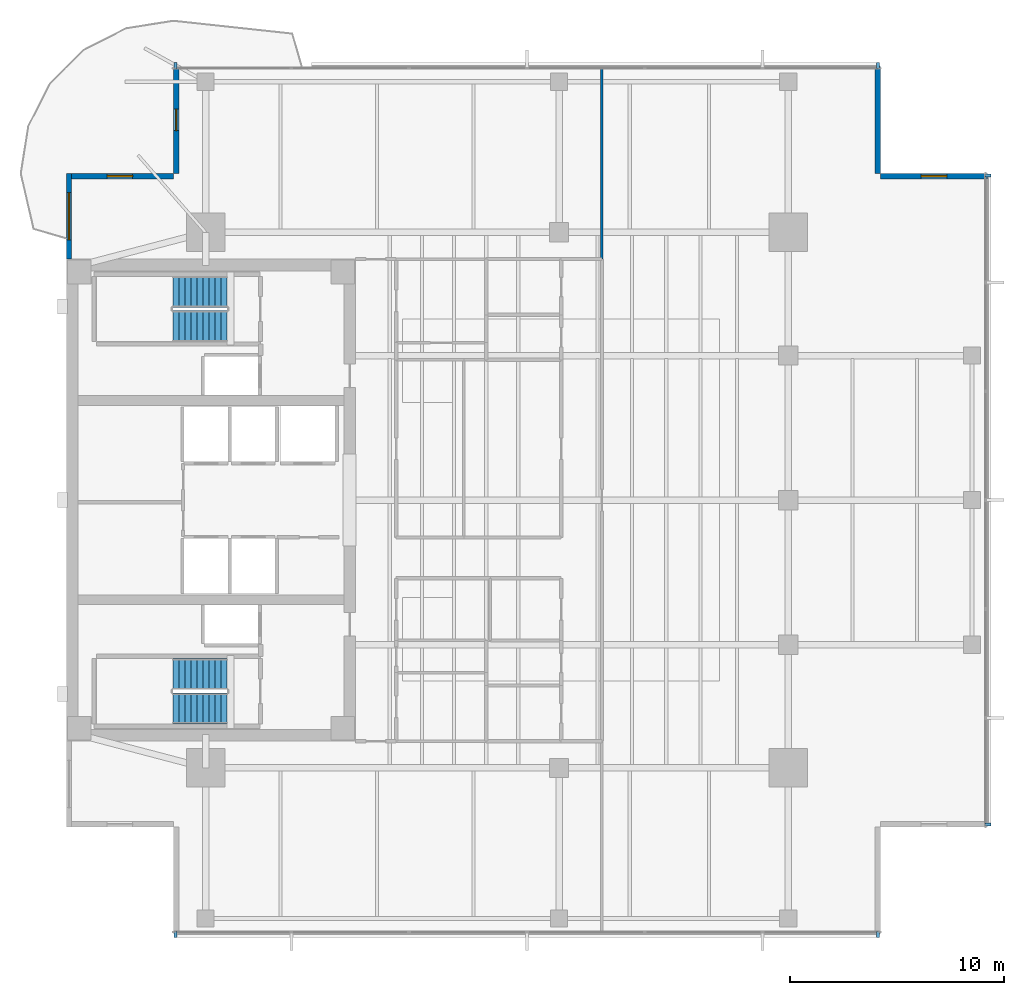
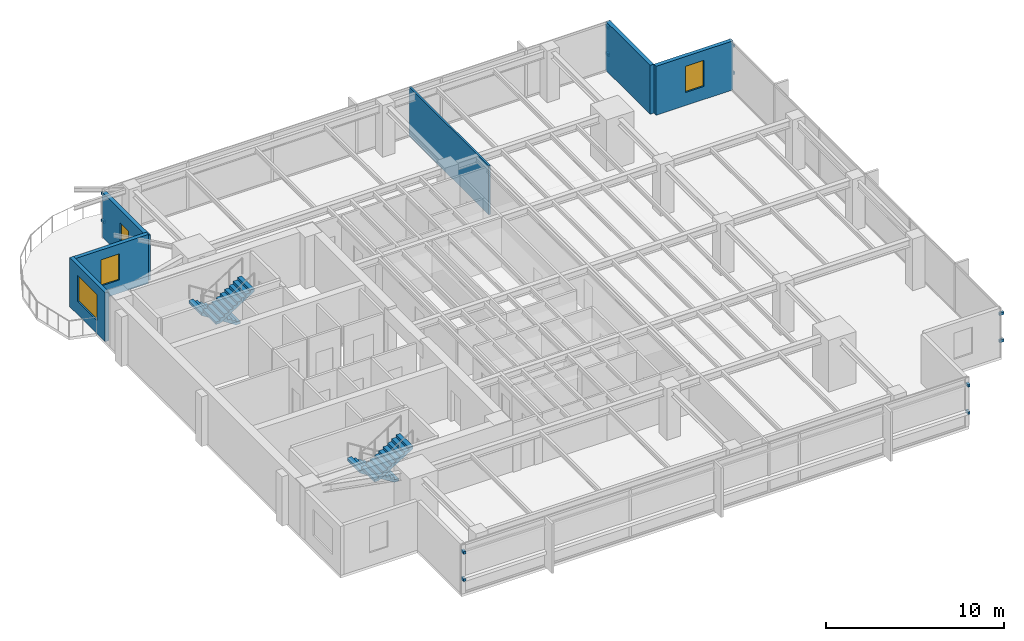
# One storey, part 10 of 14: 12 discrete accessories, 6 walls, 4 stair flights, 3 windows, 1 door, 4 openings, 2 elements without a shape of their own.
"""IFC4 building model written with IfcOpenShell, lengths in metres."""

from ifc_helpers import new_model, si_unit, direction, frame, frame_2d, origin, origin_2d, place, context, subcontext, project, spatial, polyline, rectangle, outline, extrude, material, layer, layer_set, type_object, element, fill, aggregate, save


model = new_model("IFC4")

# Units and contexts
model_context = context("Model", 3, precision=1e-05, world=origin(), true_north=direction((0.0, 1.0)))
body_context = subcontext(model_context, "Body", "Model", "MODEL_VIEW")
ifc_project = project(units=[si_unit("LENGTHUNIT", "METRE"), si_unit("AREAUNIT", "SQUARE_METRE"), si_unit("VOLUMEUNIT", "CUBIC_METRE"), si_unit("PLANEANGLEUNIT", "RADIAN"), si_unit("MASSUNIT", "GRAM", prefix="KILO")], contexts=[model_context])

# Site, building, storey
site_placement = place(None, origin())
site = spatial("IfcSite", under=ifc_project, at=site_placement, CompositionType="ELEMENT")
building_placement = place(site_placement, origin())
building = spatial("IfcBuilding", under=site, at=building_placement, Name="Kinhvarn Gate Tower", CompositionType="ELEMENT")
storey_placement = place(building_placement, frame((0.0, 0.0, 195.14990234375)))
storey = spatial("IfcBuildingStorey", under=building, at=storey_placement, Name="L51", CompositionType="ELEMENT", Elevation=195.14990234375)

# Wall, opening, window
ifc_material_1 = material(Name="Fired architectural terracotta", Category="masonry")
ifc_layer_1 = layer(ifc_material_1, 0.25)
ifc_layer_set_1 = layer_set([ifc_layer_1], Name="Fired architectural terracotta")
wall_type_1 = type_object("IfcWallType", Name="WL-EXT-250", PredefinedType="SOLIDWALL", material=ifc_layer_set_1)
wall_1_placement = place(storey_placement, frame((4.625, 40.5, 0.0), z_axis=(0.0, 0.0, 1.0), x_axis=(0.0, -1.0, 0.0)))
wall_1 = element("IfcWall", 1, at=wall_1_placement, inside=storey, type_object=wall_type_1, Name="Exterior Solidwall Wall EW-250 (L51 West-North)", PredefinedType="SOLIDWALL", context=body_context, shape_type="SweptSolid", body=[
    extrude(rectangle(XDim=4.0, YDim=0.25, at=frame_2d((2.0, 0.0))), origin(), (0.0, 0.0, 1.0), 3.3701171875),
])
opening_1_placement = place(wall_1_placement, frame((0.89990234375, 0.0, 0.89990234375)))
opening_1 = element("IfcOpeningElement", 2, at=opening_1_placement, cuts=wall_1, Name="Opening WN-01", PredefinedType="OPENING", context=body_context, shape_type="SweptSolid", body=[
    extrude(rectangle(XDim=2.199951171875, YDim=1.800048828125, at=frame_2d((1.10009765625, 0.89990234375))), frame((0.0, 0.135009765625, 0.0), z_axis=(0.0, -1.0, 0.0), x_axis=(1.0, 0.0, 0.0)), (0.0, 0.0, 1.0), 0.27001953125),
])
ifc_material_2 = material(Name="Clear low-e double glazing", Category="glass")
window_type_1 = type_object("IfcWindowType", Name="WIN-RIB-2200", PartitioningType="SINGLE_PANEL", PredefinedType="WINDOW", material=ifc_material_2)
window_1_placement = place(opening_1_placement, origin())
window_1 = element("IfcWindow", 3, at=window_1_placement, inside=storey, type_object=window_type_1, Name="West Flank Double-Glazed Ribbon Window 2200x1800 mm (L51)", OverallHeight=1.800048828125, OverallWidth=2.199951171875, PartitioningType="SINGLE_PANEL", PredefinedType="WINDOW", context=body_context, shape_type="SweptSolid", body=[
    extrude(rectangle(XDim=2.199951171875, YDim=1.800048828125, at=frame_2d((1.10009765625, 0.89990234375))), frame((0.0, 0.030029296875, 0.0), z_axis=(0.0, -1.0, 0.0), x_axis=(1.0, 0.0, 0.0)), (0.0, 0.0, 1.0), 0.06005859375),
])
fill(opening_1, window_1)

wall_2_placement = place(storey_placement, frame((47.5, 40.375, 0.0), z_axis=(0.0, 0.0, 1.0), x_axis=(-1.0, 0.0, 0.0)))
wall_2 = element("IfcWall", 4, at=wall_2_placement, inside=storey, type_object=wall_type_1, Name="Exterior Solidwall Wall EW-250 (L51 NE-Notch-1)", PredefinedType="SOLIDWALL", context=body_context, shape_type="SweptSolid", body=[
    extrude(rectangle(XDim=5.0, YDim=0.25, at=frame_2d((2.5, 0.0))), origin(), (0.0, 0.0, 1.0), 3.3701171875),
])
opening_2_placement = place(wall_2_placement, frame((1.89990234375, 0.0, 0.89990234375)))
opening_2 = element("IfcOpeningElement", 5, at=opening_2_placement, cuts=wall_2, Name="Opening WN-02", PredefinedType="OPENING", context=body_context, shape_type="SweptSolid", body=[
    extrude(rectangle(XDim=1.199951171875, YDim=1.800048828125, at=frame_2d((0.60009765625, 0.89990234375))), frame((0.0, 0.135009765625, 0.0), z_axis=(0.0, -1.0, 0.0), x_axis=(1.0, 0.0, 0.0)), (0.0, 0.0, 1.0), 0.27001953125),
])
window_type_2 = type_object("IfcWindowType", Name="WIN-NTC-1200", PartitioningType="SINGLE_PANEL", PredefinedType="WINDOW", material=ifc_material_2)
window_2_placement = place(opening_2_placement, origin())
window_2 = element("IfcWindow", 6, at=window_2_placement, inside=storey, type_object=window_type_2, Name="Recessed Corner Notch Punched Window 1200x1800 mm (L51)", OverallHeight=1.800048828125, OverallWidth=1.199951171875, PartitioningType="SINGLE_PANEL", PredefinedType="WINDOW", context=body_context, shape_type="SweptSolid", body=[
    extrude(rectangle(XDim=1.199951171875, YDim=1.800048828125, at=frame_2d((0.60009765625, 0.89990234375))), frame((0.0, 0.030029296875, 0.0), z_axis=(0.0, -1.0, 0.0), x_axis=(1.0, 0.0, 0.0)), (0.0, 0.0, 1.0), 0.06005859375),
])
fill(opening_2, window_2)

# Wall
wall_3_placement = place(storey_placement, frame((42.375, 40.5, 0.0), z_axis=(0.0, 0.0, 1.0), x_axis=(0.0, 1.0, 0.0)))
element("IfcWall", 7, at=wall_3_placement, inside=storey, type_object=wall_type_1, Name="Exterior Solidwall Wall EW-250 (L51 NE-Notch-2)", PredefinedType="SOLIDWALL", context=body_context, shape_type="SweptSolid", body=[
    extrude(rectangle(XDim=5.0, YDim=0.25, at=frame_2d((2.5, 0.0))), origin(), (0.0, 0.0, 1.0), 3.3701171875),
])

# Wall, opening, door
wall_4_placement = place(storey_placement, frame((9.625, 45.5, 0.0), z_axis=(0.0, 0.0, 1.0), x_axis=(0.0, -1.0, 0.0)))
wall_4 = element("IfcWall", 8, at=wall_4_placement, inside=storey, type_object=wall_type_1, Name="Exterior Solidwall Wall EW-250 (L51 NW-Notch-Door)", PredefinedType="SOLIDWALL", context=body_context, shape_type="SweptSolid", body=[
    extrude(rectangle(XDim=5.0, YDim=0.25, at=frame_2d((2.5, 0.0))), origin(), (0.0, 0.0, 1.0), 3.10009765625),
])
opening_3_placement = place(wall_4_placement, frame((2.0, 0.0, 0.0)))
opening_3 = element("IfcOpeningElement", 9, at=opening_3_placement, cuts=wall_4, Name="Opening BD-01", PredefinedType="OPENING", context=body_context, shape_type="SweptSolid", body=[
    extrude(rectangle(XDim=1.0, YDim=2.199951171875, at=frame_2d((0.5, 1.10009765625))), frame((0.0, 0.135009765625, 0.0), z_axis=(0.0, -1.0, 0.0), x_axis=(1.0, 0.0, 0.0)), (0.0, 0.0, 1.0), 0.27001953125),
])
door_type = type_object("IfcDoorType", Name="DR-BAL-1000", OperationType="NOTDEFINED", PredefinedType="DOOR", material=ifc_material_2)
door_placement = place(opening_3_placement, frame((1.0, 0.0, 0.0), z_axis=(0.0, 0.0, 1.0), x_axis=(-1.0, 0.0, 0.0)))
door = element("IfcDoor", 10, at=door_placement, inside=storey, type_object=door_type, Name="S-Carve Balcony Door BD-01 (L51)", OperationType="SINGLE_SWING_RIGHT", OverallHeight=2.199951171875, OverallWidth=1.0, PredefinedType="DOOR", context=body_context, shape_type="SweptSolid", body=[
    extrude(rectangle(XDim=1.0, YDim=2.199951171875, at=frame_2d((0.5, 1.10009765625))), frame((0.0, 0.02490234375, 0.0), z_axis=(0.0, -1.0, 0.0), x_axis=(1.0, 0.0, 0.0)), (0.0, 0.0, 1.0), 0.050048828125),
])
fill(opening_3, door)

# Wall, opening, window
wall_5_placement = place(storey_placement, frame((9.5, 40.375, 0.0), z_axis=(0.0, 0.0, 1.0), x_axis=(-1.0, 0.0, 0.0)))
wall_5 = element("IfcWall", 11, at=wall_5_placement, inside=storey, type_object=wall_type_1, Name="Exterior Solidwall Wall EW-250 (L51 NW-Notch-Win)", PredefinedType="SOLIDWALL", context=body_context, shape_type="SweptSolid", body=[
    extrude(rectangle(XDim=5.0, YDim=0.25, at=frame_2d((2.5, 0.0))), origin(), (0.0, 0.0, 1.0), 3.3701171875),
])
opening_4_placement = place(wall_5_placement, frame((1.89990234375, 0.0, 0.89990234375)))
opening_4 = element("IfcOpeningElement", 12, at=opening_4_placement, cuts=wall_5, Name="Opening WN-02", PredefinedType="OPENING", context=body_context, shape_type="SweptSolid", body=[
    extrude(rectangle(XDim=1.199951171875, YDim=1.800048828125, at=frame_2d((0.60009765625, 0.89990234375))), frame((0.0, 0.135009765625, 0.0), z_axis=(0.0, -1.0, 0.0), x_axis=(1.0, 0.0, 0.0)), (0.0, 0.0, 1.0), 0.27001953125),
])
window_3_placement = place(opening_4_placement, origin())
window_3 = element("IfcWindow", 13, at=window_3_placement, inside=storey, type_object=window_type_2, Name="Recessed Corner Notch Punched Window 1200x1800 mm (L51)", OverallHeight=1.800048828125, OverallWidth=1.199951171875, PartitioningType="SINGLE_PANEL", PredefinedType="WINDOW", context=body_context, shape_type="SweptSolid", body=[
    extrude(rectangle(XDim=1.199951171875, YDim=1.800048828125, at=frame_2d((0.60009765625, 0.89990234375))), frame((0.0, 0.030029296875, 0.0), z_axis=(0.0, -1.0, 0.0), x_axis=(1.0, 0.0, 0.0)), (0.0, 0.0, 1.0), 0.06005859375),
])
fill(opening_4, window_3)

# Wall
ifc_material_3 = material(Name="Gypsum acoustic partition board")
ifc_layer_2 = layer(ifc_material_3, 0.1201171875)
ifc_layer_set_2 = layer_set([ifc_layer_2], Name="Gypsum acoustic partition board")
wall_type_2 = type_object("IfcWallType", Name="WL-PRT-120", PredefinedType="PARTITIONING", material=ifc_layer_set_2)
wall_6_placement = place(storey_placement, frame((29.5, 36.5, 0.0), z_axis=(0.0, 0.0, 1.0), x_axis=(0.0, 1.0, 0.0)))
element("IfcWall", 14, at=wall_6_placement, inside=storey, type_object=wall_type_2, Name="Interior Partition PW-120 (L51)", PredefinedType="PARTITIONING", context=body_context, shape_type="SweptSolid", body=[
    extrude(rectangle(XDim=8.989990234375, YDim=0.1201171875, at=frame_2d((4.4951171875, 0.0))), origin(), (0.0, 0.0, 1.0), 3.3701171875),
])

# Stair, stair flights
ifc_material_4 = material(Name="Concrete C40/50", Category="concrete")
stair_type = type_object("IfcStairType", Name="STR-DLG-177", PredefinedType="HALF_TURN_STAIR", material=ifc_material_4)
stair_1_placement = place(storey_placement, origin())
stair_1 = element("IfcStair", 15, at=stair_1_placement, inside=storey, type_object=stair_type, Name="L51 Core Smokeproof Exit Stair ST1", PredefinedType="HALF_TURN_STAIR")
stair_flight_type = type_object("IfcStairFlightType", Name="STF-DLG-177", PredefinedType="STRAIGHT", material=ifc_material_4)
stair_flight_1_placement = place(storey_placement, frame((12.0, 17.125, 0.0), z_axis=(0.0, 0.0, 1.0), x_axis=(-1.0, 0.0, 0.0)))
stair_flight_1 = element("IfcStairFlight", 16, at=stair_flight_1_placement, type_object=stair_flight_type, Name="ST1 flight 1", NumberOfRisers=10, NumberOfTreads=9, PredefinedType="STRAIGHT", RiserHeight=0.1775, TreadLength=0.28, context=body_context, shape_type="SweptSolid", body=[
    extrude(outline(polyline([(0.0, 0.0), (0.0, 0.177490234375), (0.280029296875, 0.177490234375), (0.280029296875, 0.35498046875), (0.56005859375, 0.35498046875), (0.56005859375, 0.532470703125), (0.840087890625, 0.532470703125), (0.840087890625, 0.7099609375), (1.1201171875, 0.7099609375), (1.1201171875, 0.887451171875), (1.39990234375, 0.887451171875), (1.39990234375, 1.06494140625), (1.679931640625, 1.06494140625), (1.679931640625, 1.242431640625), (1.9599609375, 1.242431640625), (1.9599609375, 1.419921875), (2.239990234375, 1.419921875), (2.239990234375, 1.597412109375), (2.52001953125, 1.597412109375), (2.52001953125, 1.77490234375), (2.52001953125, 1.419921875), (0.280029296875, 0.0), (0.0, 0.0)])), frame((0.0, 0.72509765625, 0.0), z_axis=(0.0, -1.0, 0.0), x_axis=(1.0, 0.0, 0.0)), (0.0, 0.0, 1.0), 1.449951171875),
])
stair_flight_2_placement = place(storey_placement, frame((9.47998046875, 15.52490234375, 1.775146484375), z_axis=(0.0, 0.0, 1.0), x_axis=(1.0, 0.0, 0.0)))
stair_flight_2 = element("IfcStairFlight", 17, at=stair_flight_2_placement, type_object=stair_flight_type, Name="ST1 flight 2", NumberOfRisers=10, NumberOfTreads=9, PredefinedType="STRAIGHT", RiserHeight=0.1775, TreadLength=0.28, context=body_context, shape_type="SweptSolid", body=[
    extrude(outline(polyline([(0.0, 0.0), (0.0, 0.177490234375), (0.280029296875, 0.177490234375), (0.280029296875, 0.35498046875), (0.56005859375, 0.35498046875), (0.56005859375, 0.532470703125), (0.840087890625, 0.532470703125), (0.840087890625, 0.7099609375), (1.1201171875, 0.7099609375), (1.1201171875, 0.887451171875), (1.39990234375, 0.887451171875), (1.39990234375, 1.06494140625), (1.679931640625, 1.06494140625), (1.679931640625, 1.242431640625), (1.9599609375, 1.242431640625), (1.9599609375, 1.419921875), (2.239990234375, 1.419921875), (2.239990234375, 1.597412109375), (2.52001953125, 1.597412109375), (2.52001953125, 1.77490234375), (2.52001953125, 1.419921875), (0.280029296875, 0.0), (0.0, 0.0)])), frame((0.0, 0.72509765625, 0.0), z_axis=(0.0, -1.0, 0.0), x_axis=(1.0, 0.0, 0.0)), (0.0, 0.0, 1.0), 1.449951171875),
])
aggregate(stair_1, [stair_flight_1, stair_flight_2])

stair_2_placement = place(storey_placement, origin())
stair_2 = element("IfcStair", 18, at=stair_2_placement, inside=storey, type_object=stair_type, Name="L51 Core Smokeproof Exit Stair ST2", PredefinedType="HALF_TURN_STAIR")
stair_flight_3_placement = place(storey_placement, frame((12.0, 34.97509765625, 0.0), z_axis=(0.0, 0.0, 1.0), x_axis=(-1.0, 0.0, 0.0)))
stair_flight_3 = element("IfcStairFlight", 19, at=stair_flight_3_placement, type_object=stair_flight_type, Name="ST2 flight 1", NumberOfRisers=10, NumberOfTreads=9, PredefinedType="STRAIGHT", RiserHeight=0.1775, TreadLength=0.28, context=body_context, shape_type="SweptSolid", body=[
    extrude(outline(polyline([(0.0, 0.0), (0.0, 0.177490234375), (0.280029296875, 0.177490234375), (0.280029296875, 0.35498046875), (0.56005859375, 0.35498046875), (0.56005859375, 0.532470703125), (0.840087890625, 0.532470703125), (0.840087890625, 0.7099609375), (1.1201171875, 0.7099609375), (1.1201171875, 0.887451171875), (1.39990234375, 0.887451171875), (1.39990234375, 1.06494140625), (1.679931640625, 1.06494140625), (1.679931640625, 1.242431640625), (1.9599609375, 1.242431640625), (1.9599609375, 1.419921875), (2.239990234375, 1.419921875), (2.239990234375, 1.597412109375), (2.52001953125, 1.597412109375), (2.52001953125, 1.77490234375), (2.52001953125, 1.419921875), (0.280029296875, 0.0), (0.0, 0.0)])), frame((0.0, 0.72509765625, 0.0), z_axis=(0.0, -1.0, 0.0), x_axis=(1.0, 0.0, 0.0)), (0.0, 0.0, 1.0), 1.449951171875),
])
stair_flight_4_placement = place(storey_placement, frame((9.47998046875, 33.375, 1.775146484375), z_axis=(0.0, 0.0, 1.0), x_axis=(1.0, 0.0, 0.0)))
stair_flight_4 = element("IfcStairFlight", 20, at=stair_flight_4_placement, type_object=stair_flight_type, Name="ST2 flight 2", NumberOfRisers=10, NumberOfTreads=9, PredefinedType="STRAIGHT", RiserHeight=0.1775, TreadLength=0.28, context=body_context, shape_type="SweptSolid", body=[
    extrude(outline(polyline([(0.0, 0.0), (0.0, 0.177490234375), (0.280029296875, 0.177490234375), (0.280029296875, 0.35498046875), (0.56005859375, 0.35498046875), (0.56005859375, 0.532470703125), (0.840087890625, 0.532470703125), (0.840087890625, 0.7099609375), (1.1201171875, 0.7099609375), (1.1201171875, 0.887451171875), (1.39990234375, 0.887451171875), (1.39990234375, 1.06494140625), (1.679931640625, 1.06494140625), (1.679931640625, 1.242431640625), (1.9599609375, 1.242431640625), (1.9599609375, 1.419921875), (2.239990234375, 1.419921875), (2.239990234375, 1.597412109375), (2.52001953125, 1.597412109375), (2.52001953125, 1.77490234375), (2.52001953125, 1.419921875), (0.280029296875, 0.0), (0.0, 0.0)])), frame((0.0, 0.72509765625, 0.0), z_axis=(0.0, -1.0, 0.0), x_axis=(1.0, 0.0, 0.0)), (0.0, 0.0, 1.0), 1.449951171875),
])
aggregate(stair_2, [stair_flight_3, stair_flight_4])

# Discrete accessories
ifc_material_5 = material(Name="Anodised aluminium AW-6063", Category="aluminium")
discrete_accessory_type = type_object("IfcDiscreteAccessoryType", Name="ACC-BRK-01", PredefinedType="BRACKET", material=ifc_material_5)
for number, where, z_axis, x_axis, name in (
    (21, (9.60009765625, 4.969970703125, 0.9599609375), (0.0, 0.0, 1.0), (1.0, 0.0, 0.0), "Baguette Support Bracket BK-01 (L51)"),
    (22, (9.60009765625, 4.969970703125, 2.830078125), (0.0, 0.0, 1.0), (1.0, 0.0, 0.0), "Baguette Support Bracket BK-01 (L51)"),
    (23, (42.39990234375, 4.969970703125, 0.9599609375), (0.0, 0.0, 1.0), (1.0, 0.0, 0.0), "Baguette Support Bracket BK-01 (L51)"),
    (24, (42.39990234375, 4.969970703125, 2.830078125), (0.0, 0.0, 1.0), (1.0, 0.0, 0.0), "Baguette Support Bracket BK-01 (L51)"),
    (25, (42.39990234375, 45.530029296875, 0.9599609375), (0.0, 0.0, 1.0), (-1.0, 0.0, 0.0), "Baguette Support Bracket BK-01 (L51)"),
    (26, (42.39990234375, 45.530029296875, 2.830078125), (0.0, 0.0, 1.0), (-1.0, 0.0, 0.0), "Baguette Support Bracket BK-01 (L51)"),
    (27, (9.60009765625, 45.530029296875, 0.9599609375), (0.0, 0.0, 1.0), (-1.0, 0.0, 0.0), "Baguette Support Bracket BK-01 (L51)"),
    (28, (9.60009765625, 45.530029296875, 2.830078125), (0.0, 0.0, 1.0), (-1.0, 0.0, 0.0), "Baguette Support Bracket BK-01 (L51)"),
    (29, (47.530029296875, 10.10009765625, 0.9599609375), (0.0, 0.0, 1.0), (0.0, 1.0, 0.0), "Baguette Support Bracket BK-01 (L51)"),
    (30, (47.530029296875, 10.10009765625, 2.830078125), (0.0, 0.0, 1.0), (0.0, 1.0, 0.0), "Baguette Support Bracket BK-01 (L51)"),
    (31, (47.530029296875, 40.39990234375, 0.9599609375), (0.0, 0.0, 1.0), (0.0, 1.0, 0.0), "Baguette Support Bracket BK-01 (L51)"),
    (32, (47.530029296875, 40.39990234375, 2.830078125), (0.0, 0.0, 1.0), (0.0, 1.0, 0.0), "Baguette Support Bracket BK-01 (L51)"),
):
    element("IfcDiscreteAccessory", number, at=place(storey_placement, frame(where, z_axis=z_axis, x_axis=x_axis)), inside=storey, type_object=discrete_accessory_type, Name=name, PredefinedType="BRACKET", context=body_context, shape_type="SweptSolid", body=[
        extrude(rectangle(XDim=0.139892578125, YDim=0.280029296875, at=origin_2d()), origin(), (0.0, 0.0, 1.0), 0.179931640625),
    ])

save(model, "model.ifc")
